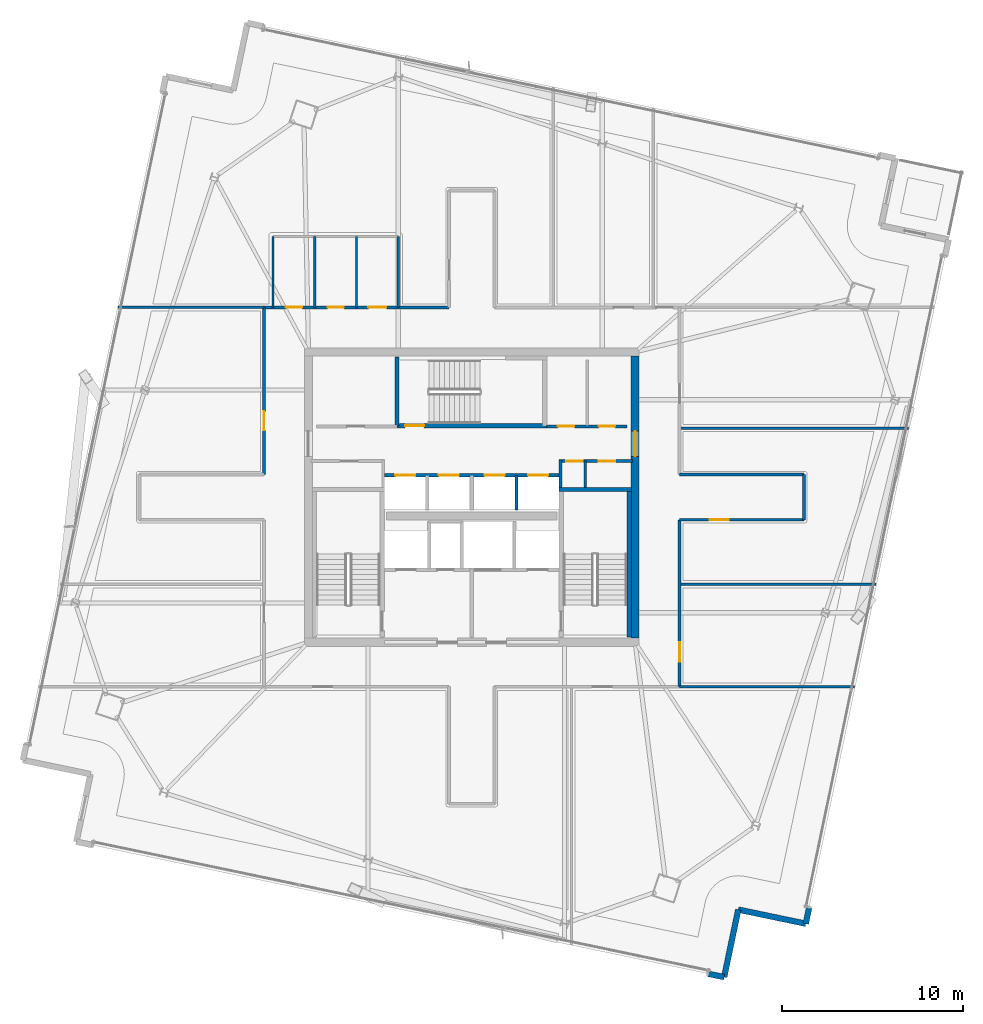
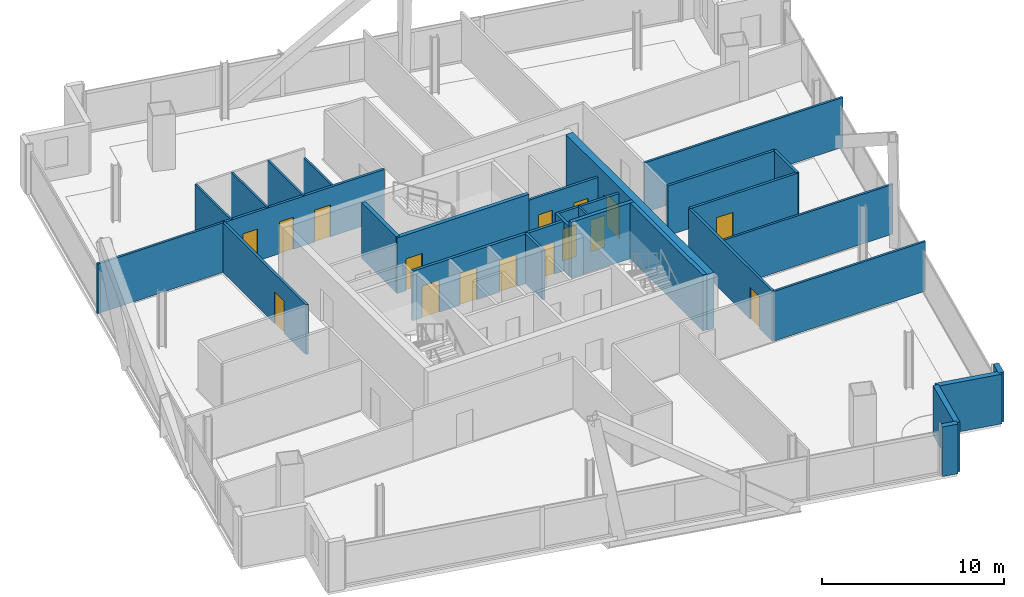
# One storey, part 19 of 24: 29 walls, 16 doors, 16 openings.
"""IFC4 building model written with IfcOpenShell, lengths in metres."""

from ifc_helpers import new_model, si_unit, direction, frame, frame_2d, origin, place, context, subcontext, project, spatial, rectangle, extrude, material, layer, layer_set, type_object, element, fill, save


model = new_model("IFC4")

# Units and contexts
model_context = context("Model", 3, precision=1e-05, world=origin(), true_north=direction((0.0, 1.0)))
body_context = subcontext(model_context, "Body", "Model", "MODEL_VIEW")
ifc_project = project(units=[si_unit("LENGTHUNIT", "METRE"), si_unit("AREAUNIT", "SQUARE_METRE"), si_unit("VOLUMEUNIT", "CUBIC_METRE"), si_unit("PLANEANGLEUNIT", "RADIAN"), si_unit("MASSUNIT", "GRAM", prefix="KILO")], contexts=[model_context])

# Site, building, storey
site_placement = place(None, origin())
site = spatial("IfcSite", under=ifc_project, at=site_placement, CompositionType="ELEMENT")
building_placement = place(site_placement, origin())
building = spatial("IfcBuilding", under=site, at=building_placement, Name="Haldenkirk Collegiate Tower", CompositionType="ELEMENT")
storey_placement = place(building_placement, frame((0.0, 0.0, 289.949951171875)))
storey = spatial("IfcBuildingStorey", under=building, at=storey_placement, Name="L73", CompositionType="ELEMENT", Elevation=289.949951171875)

# Wall, opening, door
ifc_material_1 = material(Name="Concrete f'c 55 MPa", Category="concrete")
ifc_layer_1 = layer(ifc_material_1, 0.449951171875)
ifc_layer_set_1 = layer_set([ifc_layer_1], Name="Concrete f'c 55 MPa")
wall_type_1 = type_object("IfcWallType", Name="WL-CORE-450", PredefinedType="SHEAR", material=ifc_layer_set_1)
wall_1_placement = place(storey_placement, frame((45.0, 18.22509765625, 0.0), z_axis=(0.0, 0.0, 1.0), x_axis=(0.0, 1.0, 0.0)))
wall_1 = element("IfcWall", 1, at=wall_1_placement, inside=storey, type_object=wall_type_1, Name="L73 central core shear wall E", PredefinedType="SHEAR", context=body_context, shape_type="SweptSolid", body=[
    extrude(rectangle(XDim=15.5498046875, YDim=0.449951171875, at=frame_2d((7.77490234375, 0.0))), origin(), (0.0, 0.0, 1.0), 3.75),
])
opening_1_placement = place(wall_1_placement, frame((10.014892578125, 0.0, 0.0)))
opening_1 = element("IfcOpeningElement", 2, at=opening_1_placement, cuts=wall_1, Name="Opening D-03", PredefinedType="OPENING", context=body_context, shape_type="SweptSolid", body=[
    extrude(rectangle(XDim=1.39990234375, YDim=2.199951171875, at=frame_2d((0.699951171875, 1.10009765625))), frame((0.0, 0.23486328125, 0.0), z_axis=(0.0, -1.0, 0.0), x_axis=(1.0, 0.0, 0.0)), (0.0, 0.0, 1.0), 0.469970703125),
])
ifc_material_2 = material(Name="Galvanized fire-rated hollow steel door", Category="steel")
ifc_layer_2 = layer(ifc_material_2, 0.06005859375)
ifc_layer_set_2 = layer_set([ifc_layer_2], Name="Galvanized fire-rated hollow steel door")
door_type_1 = type_object("IfcDoorType", Name="DR-LOBBY-FD90-1400", OperationType="NOTDEFINED", PredefinedType="DOOR", material=ifc_layer_set_2)
door_1_placement = place(opening_1_placement, origin())
door_1 = element("IfcDoor", 3, at=door_1_placement, inside=storey, type_object=door_type_1, Name="L73 east lift lobby portal", OperationType="DOUBLE_DOOR_SINGLE_SWING", OverallHeight=2.199951171875, OverallWidth=1.39990234375, PredefinedType="DOOR", context=body_context, shape_type="SweptSolid", body=[
    extrude(rectangle(XDim=1.39990234375, YDim=2.199951171875, at=frame_2d((0.699951171875, 1.10009765625))), frame((0.0, 0.02490234375, 0.0), z_axis=(0.0, -1.0, 0.0), x_axis=(1.0, 0.0, 0.0)), (0.0, 0.0, 1.0), 0.050048828125),
])
fill(opening_1, door_1)

# Walls
ifc_material_3 = material(Name="Precast concrete f'c 40 MPa", Category="concrete")
ifc_layer_3 = layer(ifc_material_3, 0.320068359375)
ifc_layer_set_3 = layer_set([ifc_layer_3], Name="Precast concrete f'c 40 MPa")
wall_type_2 = type_object("IfcWallType", Name="WL-EXT-TWR-320", PredefinedType="STANDARD", material=ifc_layer_set_3)
for number, where, z_axis, x_axis, name in (
    (4, (54.590087890625, 3.3701171875, 0.0), (0.0, 0.0, 1.0), (-0.204560917907, -0.978853835292, 0.0), "L73 precast corner pier SR"),
    (5, (49.9091796875, -0.453369140625, 0.0), (0.0, 0.0, 1.0), (-0.978853835292, 0.204560917907, 0.0), "L73 precast corner pier WL"),
):
    element("IfcWall", number, at=place(storey_placement, frame(where, z_axis=z_axis, x_axis=x_axis)), inside=storey, type_object=wall_type_2, Name=name, PredefinedType="STANDARD", context=body_context, shape_type="SweptSolid", body=[
        extrude(rectangle(XDim=0.89990234375, YDim=0.320068359375, at=frame_2d((0.449951171875, 0.0))), origin(), (0.0, 0.0, 1.0), 3.340087890625),
    ])
for number, where, z_axis, x_axis, name in (
    (6, (50.686279296875, 3.266357421875, 0.0), (0.0, 0.0, 1.0), (-0.204498130493, -0.978866954506, 0.0), "L73 bronze precast notch wall 11"),
    (7, (54.406005859375, 2.4892578125, 0.0), (0.0, 0.0, 1.0), (-0.978866954506, 0.204498130493, 0.0), "L73 bronze precast notch wall 12"),
):
    element("IfcWall", number, at=place(storey_placement, frame(where, z_axis=z_axis, x_axis=x_axis)), inside=storey, type_object=wall_type_2, Name=name, PredefinedType="STANDARD", context=body_context, shape_type="SweptSolid", body=[
        extrude(rectangle(XDim=3.800048828125, YDim=0.320068359375, at=frame_2d((1.89990234375, 0.0))), origin(), (0.0, 0.0, 1.0), 3.340087890625),
    ])

# Wall, openings, doors
ifc_material_4 = material(Name="Acoustic fire-rated gypsum partition", Category="concrete")
ifc_layer_4 = layer(ifc_material_4, 0.159912109375)
ifc_layer_set_4 = layer_set([ifc_layer_4], Name="Acoustic fire-rated gypsum partition")
wall_type_3 = type_object("IfcWallType", Name="WL-INT-CORR-160", PredefinedType="PARTITIONING", material=ifc_layer_set_4)
wall_2_placement = place(storey_placement, frame((40.800048828125, 27.97998046875, 0.0), z_axis=(0.0, 0.0, 1.0), x_axis=(1.0, 0.0, 0.0)))
wall_2 = element("IfcWall", 8, at=wall_2_placement, inside=storey, type_object=wall_type_3, Name="L73 interior partition IW-L73-VCSE-N", PredefinedType="PARTITIONING", context=body_context, shape_type="SweptSolid", body=[
    extrude(rectangle(XDim=4.050048828125, YDim=0.159912109375, at=frame_2d((2.02490234375, 0.0))), origin(), (0.0, 0.0, 1.0), 3.340087890625),
])
opening_2_placement = place(wall_2_placement, frame((0.407470703125, 0.0, 0.0)))
opening_2 = element("IfcOpeningElement", 9, at=opening_2_placement, cuts=wall_2, Name="Opening D-11", PredefinedType="OPENING", context=body_context, shape_type="SweptSolid", body=[
    extrude(rectangle(XDim=0.89990234375, YDim=2.14990234375, at=frame_2d((0.449951171875, 1.074951171875))), frame((0.0, 0.08984375, 0.0), z_axis=(0.0, -1.0, 0.0), x_axis=(1.0, 0.0, 0.0)), (0.0, 0.0, 1.0), 0.179931640625),
])
opening_3_placement = place(wall_2_placement, frame((2.199951171875, 0.0, 0.0)))
opening_3 = element("IfcOpeningElement", 10, at=opening_3_placement, cuts=wall_2, Name="Opening D-11", PredefinedType="OPENING", context=body_context, shape_type="SweptSolid", body=[
    extrude(rectangle(XDim=0.89990234375, YDim=2.14990234375, at=frame_2d((0.449951171875, 1.074951171875))), frame((0.0, 0.08984375, 0.0), z_axis=(0.0, -1.0, 0.0), x_axis=(1.0, 0.0, 0.0)), (0.0, 0.0, 1.0), 0.179931640625),
])
ifc_material_5 = material(Name="Solid-core architectural oak fire door", Category="wood")
ifc_layer_5 = layer(ifc_material_5, 0.06005859375)
ifc_layer_set_5 = layer_set([ifc_layer_5], Name="Solid-core architectural oak fire door")
door_type_2 = type_object("IfcDoorType", Name="DR-INT-FD60-900", OperationType="NOTDEFINED", PredefinedType="DOOR", material=ifc_layer_set_5)
door_2_placement = place(opening_2_placement, origin())
door_2 = element("IfcDoor", 11, at=door_2_placement, inside=storey, type_object=door_type_2, Name="L73 core copy room door", OperationType="SINGLE_SWING_LEFT", OverallHeight=2.14990234375, OverallWidth=0.89990234375, PredefinedType="DOOR", context=body_context, shape_type="SweptSolid", body=[
    extrude(rectangle(XDim=0.89990234375, YDim=2.14990234375, at=frame_2d((0.449951171875, 1.074951171875))), frame((0.0, 0.02490234375, 0.0), z_axis=(0.0, -1.0, 0.0), x_axis=(1.0, 0.0, 0.0)), (0.0, 0.0, 1.0), 0.050048828125),
])
fill(opening_2, door_2)
door_3_placement = place(opening_3_placement, origin())
door_3 = element("IfcDoor", 12, at=door_3_placement, inside=storey, type_object=door_type_2, Name="L73 core records store door", OperationType="SINGLE_SWING_RIGHT", OverallHeight=2.14990234375, OverallWidth=0.89990234375, PredefinedType="DOOR", context=body_context, shape_type="SweptSolid", body=[
    extrude(rectangle(XDim=0.89990234375, YDim=2.14990234375, at=frame_2d((0.449951171875, 1.074951171875))), frame((0.0, 0.02490234375, 0.0), z_axis=(0.0, -1.0, 0.0), x_axis=(1.0, 0.0, 0.0)), (0.0, 0.0, 1.0), 0.050048828125),
])
fill(opening_3, door_3)

# Wall
wall_3_placement = place(storey_placement, frame((40.8798828125, 26.5400390625, 0.0), z_axis=(0.0, 0.0, 1.0), x_axis=(0.0, 1.0, 0.0)))
element("IfcWall", 13, at=wall_3_placement, inside=storey, type_object=wall_type_3, Name="L73 interior partition IW-L73-VCSE-W", PredefinedType="PARTITIONING", context=body_context, shape_type="SweptSolid", body=[
    extrude(rectangle(XDim=1.510009765625, YDim=0.159912109375, at=frame_2d((0.7548828125, 0.0))), origin(), (0.0, 0.0, 1.0), 3.340087890625),
])

# Wall, openings, doors
wall_4_placement = place(storey_placement, frame((40.1201171875, 29.89990234375, 0.0), z_axis=(0.0, 0.0, 1.0), x_axis=(1.0, 0.0, 0.0)))
wall_4 = element("IfcWall", 14, at=wall_4_placement, inside=storey, type_object=wall_type_3, Name="L73 interior partition IW-L73-PMS", PredefinedType="PARTITIONING", context=body_context, shape_type="SweptSolid", body=[
    extrude(rectangle(XDim=4.429931640625, YDim=0.159912109375, at=frame_2d((2.21484375, 0.0))), origin(), (0.0, 0.0, 1.0), 3.340087890625),
])
opening_4_placement = place(wall_4_placement, frame((0.6298828125, 0.0, 0.0)))
opening_4 = element("IfcOpeningElement", 15, at=opening_4_placement, cuts=wall_4, Name="Opening D-11", PredefinedType="OPENING", context=body_context, shape_type="SweptSolid", body=[
    extrude(rectangle(XDim=0.89990234375, YDim=2.14990234375, at=frame_2d((0.449951171875, 1.074951171875))), frame((0.0, 0.08984375, 0.0), z_axis=(0.0, -1.0, 0.0), x_axis=(1.0, 0.0, 0.0)), (0.0, 0.0, 1.0), 0.179931640625),
])
opening_5_placement = place(wall_4_placement, frame((2.8798828125, 0.0, 0.0)))
opening_5 = element("IfcOpeningElement", 16, at=opening_5_placement, cuts=wall_4, Name="Opening D-11", PredefinedType="OPENING", context=body_context, shape_type="SweptSolid", body=[
    extrude(rectangle(XDim=0.89990234375, YDim=2.14990234375, at=frame_2d((0.449951171875, 1.074951171875))), frame((0.0, 0.08984375, 0.0), z_axis=(0.0, -1.0, 0.0), x_axis=(1.0, 0.0, 0.0)), (0.0, 0.0, 1.0), 0.179931640625),
])
door_4_placement = place(opening_4_placement, origin())
door_4 = element("IfcDoor", 17, at=door_4_placement, inside=storey, type_object=door_type_2, Name="L73 staff WC door", OperationType="SINGLE_SWING_RIGHT", OverallHeight=2.14990234375, OverallWidth=0.89990234375, PredefinedType="DOOR", context=body_context, shape_type="SweptSolid", body=[
    extrude(rectangle(XDim=0.89990234375, YDim=2.14990234375, at=frame_2d((0.449951171875, 1.074951171875))), frame((0.0, 0.02490234375, 0.0), z_axis=(0.0, -1.0, 0.0), x_axis=(1.0, 0.0, 0.0)), (0.0, 0.0, 1.0), 0.050048828125),
])
fill(opening_4, door_4)
door_5_placement = place(opening_5_placement, origin())
door_5 = element("IfcDoor", 18, at=door_5_placement, inside=storey, type_object=door_type_2, Name="L73 seminar alcove door", OperationType="SINGLE_SWING_LEFT", OverallHeight=2.14990234375, OverallWidth=0.89990234375, PredefinedType="DOOR", context=body_context, shape_type="SweptSolid", body=[
    extrude(rectangle(XDim=0.89990234375, YDim=2.14990234375, at=frame_2d((0.449951171875, 1.074951171875))), frame((0.0, 0.02490234375, 0.0), z_axis=(0.0, -1.0, 0.0), x_axis=(1.0, 0.0, 0.0)), (0.0, 0.0, 1.0), 0.050048828125),
])
fill(opening_5, door_5)

wall_5_placement = place(storey_placement, frame((24.5, 36.449951171875, 0.0), z_axis=(0.0, 0.0, 1.0), x_axis=(1.0, 0.0, 0.0)))
wall_5 = element("IfcWall", 19, at=wall_5_placement, inside=storey, type_object=wall_type_3, Name="L73 interior partition IW-L73-CN1", PredefinedType="PARTITIONING", context=body_context, shape_type="SweptSolid", body=[
    extrude(rectangle(XDim=10.25, YDim=0.159912109375, at=frame_2d((5.125, 0.0))), origin(), (0.0, 0.0, 1.0), 3.340087890625),
])
opening_6_placement = place(wall_5_placement, frame((1.25, 0.0, 0.0)))
opening_6 = element("IfcOpeningElement", 20, at=opening_6_placement, cuts=wall_5, Name="Opening D-13", PredefinedType="OPENING", context=body_context, shape_type="SweptSolid", body=[
    extrude(rectangle(XDim=0.89990234375, YDim=2.14990234375, at=frame_2d((0.449951171875, 1.074951171875))), frame((0.0, 0.08984375, 0.0), z_axis=(0.0, -1.0, 0.0), x_axis=(1.0, 0.0, 0.0)), (0.0, 0.0, 1.0), 0.179931640625),
])
opening_7_placement = place(wall_5_placement, frame((3.550048828125, 0.0, 0.0)))
opening_7 = element("IfcOpeningElement", 21, at=opening_7_placement, cuts=wall_5, Name="Opening D-13", PredefinedType="OPENING", context=body_context, shape_type="SweptSolid", body=[
    extrude(rectangle(XDim=0.89990234375, YDim=2.14990234375, at=frame_2d((0.449951171875, 1.074951171875))), frame((0.0, 0.08984375, 0.0), z_axis=(0.0, -1.0, 0.0), x_axis=(1.0, 0.0, 0.0)), (0.0, 0.0, 1.0), 0.179931640625),
])
opening_8_placement = place(wall_5_placement, frame((5.800048828125, 0.0, 0.0)))
opening_8 = element("IfcOpeningElement", 22, at=opening_8_placement, cuts=wall_5, Name="Opening D-14", PredefinedType="OPENING", context=body_context, shape_type="SweptSolid", body=[
    extrude(rectangle(XDim=1.0, YDim=2.14990234375, at=frame_2d((0.5, 1.074951171875))), frame((0.0, 0.08984375, 0.0), z_axis=(0.0, -1.0, 0.0), x_axis=(1.0, 0.0, 0.0)), (0.0, 0.0, 1.0), 0.179931640625),
])
ifc_layer_6 = layer(ifc_material_5, 0.06005859375)
ifc_layer_set_6 = layer_set([ifc_layer_6], Name="Solid-core architectural oak fire door")
door_type_3 = type_object("IfcDoorType", Name="DR-INT-ACC-1000", OperationType="NOTDEFINED", PredefinedType="DOOR", material=ifc_layer_set_6)
door_6_placement = place(opening_8_placement, origin())
door_6 = element("IfcDoor", 23, at=door_6_placement, inside=storey, type_object=door_type_3, Name="L73 Accessible WC door", OperationType="SINGLE_SWING_RIGHT", OverallHeight=2.14990234375, OverallWidth=1.0, PredefinedType="DOOR", context=body_context, shape_type="SweptSolid", body=[
    extrude(rectangle(XDim=1.0, YDim=2.14990234375, at=frame_2d((0.5, 1.074951171875))), frame((0.0, 0.02490234375, 0.0), z_axis=(0.0, -1.0, 0.0), x_axis=(1.0, 0.0, 0.0)), (0.0, 0.0, 1.0), 0.050048828125),
])
fill(opening_8, door_6)
ifc_layer_7 = layer(ifc_material_5, 0.06005859375)
ifc_layer_set_7 = layer_set([ifc_layer_7], Name="Solid-core architectural oak fire door")
door_type_4 = type_object("IfcDoorType", Name="DR-INT-STD-900", OperationType="NOTDEFINED", PredefinedType="DOOR", material=ifc_layer_set_7)
door_7_placement = place(opening_6_placement, origin())
door_7 = element("IfcDoor", 24, at=door_7_placement, inside=storey, type_object=door_type_4, Name="L73 Male WC door", OperationType="SINGLE_SWING_RIGHT", OverallHeight=2.14990234375, OverallWidth=0.89990234375, PredefinedType="DOOR", context=body_context, shape_type="SweptSolid", body=[
    extrude(rectangle(XDim=0.89990234375, YDim=2.14990234375, at=frame_2d((0.449951171875, 1.074951171875))), frame((0.0, 0.02490234375, 0.0), z_axis=(0.0, -1.0, 0.0), x_axis=(1.0, 0.0, 0.0)), (0.0, 0.0, 1.0), 0.050048828125),
])
fill(opening_6, door_7)
door_8_placement = place(opening_7_placement, origin())
door_8 = element("IfcDoor", 25, at=door_8_placement, inside=storey, type_object=door_type_4, Name="L73 Female WC door", OperationType="SINGLE_SWING_LEFT", OverallHeight=2.14990234375, OverallWidth=0.89990234375, PredefinedType="DOOR", context=body_context, shape_type="SweptSolid", body=[
    extrude(rectangle(XDim=0.89990234375, YDim=2.14990234375, at=frame_2d((0.449951171875, 1.074951171875))), frame((0.0, 0.02490234375, 0.0), z_axis=(0.0, -1.0, 0.0), x_axis=(1.0, 0.0, 0.0)), (0.0, 0.0, 1.0), 0.050048828125),
])
fill(opening_7, door_8)

# Wall, opening, door
wall_6_placement = place(storey_placement, frame((24.550048828125, 27.25, 0.0), z_axis=(0.0, 0.0, 1.0), x_axis=(0.0, 1.0, 0.0)))
wall_6 = element("IfcWall", 26, at=wall_6_placement, inside=storey, type_object=wall_type_3, Name="L73 interior partition IW-L73-CW2", PredefinedType="PARTITIONING", context=body_context, shape_type="SweptSolid", body=[
    extrude(rectangle(XDim=9.199951171875, YDim=0.159912109375, at=frame_2d((4.60009765625, 0.0))), origin(), (0.0, 0.0, 1.0), 3.340087890625),
])
opening_9_placement = place(wall_6_placement, frame((2.4189453125, 0.0, 0.0)))
opening_9 = element("IfcOpeningElement", 27, at=opening_9_placement, cuts=wall_6, Name="Opening D-09", PredefinedType="OPENING", context=body_context, shape_type="SweptSolid", body=[
    extrude(rectangle(XDim=1.050048828125, YDim=2.14990234375, at=frame_2d((0.52490234375, 1.074951171875))), frame((0.0, 0.08984375, 0.0), z_axis=(0.0, -1.0, 0.0), x_axis=(1.0, 0.0, 0.0)), (0.0, 0.0, 1.0), 0.179931640625),
])
ifc_layer_8 = layer(ifc_material_5, 0.06005859375)
ifc_layer_set_8 = layer_set([ifc_layer_8], Name="Solid-core architectural oak fire door")
door_type_5 = type_object("IfcDoorType", Name="DR-INT-FD60-1050", OperationType="NOTDEFINED", PredefinedType="DOOR", material=ifc_layer_set_8)
door_9_placement = place(opening_9_placement, origin())
door_9 = element("IfcDoor", 28, at=door_9_placement, inside=storey, type_object=door_type_5, Name="L73 Academic Press Bookshop 7 door", OperationType="SINGLE_SWING_LEFT", OverallHeight=2.14990234375, OverallWidth=1.050048828125, PredefinedType="DOOR", context=body_context, shape_type="SweptSolid", body=[
    extrude(rectangle(XDim=1.050048828125, YDim=2.14990234375, at=frame_2d((0.52490234375, 1.074951171875))), frame((0.0, 0.02490234375, 0.0), z_axis=(0.0, -1.0, 0.0), x_axis=(1.0, 0.0, 0.0)), (0.0, 0.0, 1.0), 0.050048828125),
])
fill(opening_9, door_9)

wall_7_placement = place(storey_placement, frame((47.449951171875, 15.550048828125, 0.0), z_axis=(0.0, 0.0, 1.0), x_axis=(0.0, 1.0, 0.0)))
wall_7 = element("IfcWall", 29, at=wall_7_placement, inside=storey, type_object=wall_type_3, Name="L73 interior partition IW-L73-CE1", PredefinedType="PARTITIONING", context=body_context, shape_type="SweptSolid", body=[
    extrude(rectangle(XDim=9.199951171875, YDim=0.159912109375, at=frame_2d((4.60009765625, 0.0))), origin(), (0.0, 0.0, 1.0), 3.340087890625),
])
opening_10_placement = place(wall_7_placement, frame((1.388916015625, 0.0, 0.0)))
opening_10 = element("IfcOpeningElement", 30, at=opening_10_placement, cuts=wall_7, Name="Opening D-09", PredefinedType="OPENING", context=body_context, shape_type="SweptSolid", body=[
    extrude(rectangle(XDim=1.050048828125, YDim=2.14990234375, at=frame_2d((0.52490234375, 1.074951171875))), frame((0.0, 0.08984375, 0.0), z_axis=(0.0, -1.0, 0.0), x_axis=(1.0, 0.0, 0.0)), (0.0, 0.0, 1.0), 0.179931640625),
])
door_10_placement = place(opening_10_placement, origin())
door_10 = element("IfcDoor", 31, at=door_10_placement, inside=storey, type_object=door_type_5, Name="L73 Campus Design Shop 8 door", OperationType="SINGLE_SWING_RIGHT", OverallHeight=2.14990234375, OverallWidth=1.050048828125, PredefinedType="DOOR", context=body_context, shape_type="SweptSolid", body=[
    extrude(rectangle(XDim=1.050048828125, YDim=2.14990234375, at=frame_2d((0.52490234375, 1.074951171875))), frame((0.0, 0.02490234375, 0.0), z_axis=(0.0, -1.0, 0.0), x_axis=(1.0, 0.0, 0.0)), (0.0, 0.0, 1.0), 0.050048828125),
])
fill(opening_10, door_10)

wall_8_placement = place(storey_placement, frame((47.449951171875, 24.75, 0.0), z_axis=(0.0, 0.0, 1.0), x_axis=(1.0, 0.0, 0.0)))
wall_8 = element("IfcWall", 32, at=wall_8_placement, inside=storey, type_object=wall_type_3, Name="L73 interior partition IW-L73-EPS", PredefinedType="PARTITIONING", context=body_context, shape_type="SweptSolid", body=[
    extrude(rectangle(XDim=6.85009765625, YDim=0.159912109375, at=frame_2d((3.425048828125, 0.0))), origin(), (0.0, 0.0, 1.0), 3.340087890625),
])
opening_11_placement = place(wall_8_placement, frame((1.6669921875, 0.0, 0.0)))
opening_11 = element("IfcOpeningElement", 33, at=opening_11_placement, cuts=wall_8, Name="Opening D-09", PredefinedType="OPENING", context=body_context, shape_type="SweptSolid", body=[
    extrude(rectangle(XDim=1.050048828125, YDim=2.14990234375, at=frame_2d((0.52490234375, 1.074951171875))), frame((0.0, 0.08984375, 0.0), z_axis=(0.0, -1.0, 0.0), x_axis=(1.0, 0.0, 0.0)), (0.0, 0.0, 1.0), 0.179931640625),
])
door_11_placement = place(opening_11_placement, origin())
door_11 = element("IfcDoor", 34, at=door_11_placement, inside=storey, type_object=door_type_5, Name="L73 Collegiate Supply Shop 9 door", OperationType="SINGLE_SWING_LEFT", OverallHeight=2.14990234375, OverallWidth=1.050048828125, PredefinedType="DOOR", context=body_context, shape_type="SweptSolid", body=[
    extrude(rectangle(XDim=1.050048828125, YDim=2.14990234375, at=frame_2d((0.52490234375, 1.074951171875))), frame((0.0, 0.02490234375, 0.0), z_axis=(0.0, -1.0, 0.0), x_axis=(1.0, 0.0, 0.0)), (0.0, 0.0, 1.0), 0.050048828125),
])
fill(opening_11, door_11)

# Walls
wall_9_placement = place(storey_placement, frame((47.449951171875, 27.25, 0.0), z_axis=(0.0, 0.0, 1.0), x_axis=(1.0, 0.0, 0.0)))
element("IfcWall", 35, at=wall_9_placement, inside=storey, type_object=wall_type_3, Name="L73 interior partition IW-L73-EPN", PredefinedType="PARTITIONING", context=body_context, shape_type="SweptSolid", body=[
    extrude(rectangle(XDim=6.85009765625, YDim=0.159912109375, at=frame_2d((3.425048828125, 0.0))), origin(), (0.0, 0.0, 1.0), 3.340087890625),
])
wall_10_placement = place(storey_placement, frame((54.300048828125, 24.75, 0.0), z_axis=(0.0, 0.0, 1.0), x_axis=(0.0, 1.0, 0.0)))
element("IfcWall", 36, at=wall_10_placement, inside=storey, type_object=wall_type_3, Name="L73 interior partition IW-L73-EPE", PredefinedType="PARTITIONING", context=body_context, shape_type="SweptSolid", body=[
    extrude(rectangle(XDim=2.5, YDim=0.159912109375, at=frame_2d((1.25, 0.0))), origin(), (0.0, 0.0, 1.0), 3.340087890625),
])
ifc_layer_9 = layer(ifc_material_4, 0.139892578125)
ifc_layer_set_9 = layer_set([ifc_layer_9], Name="Acoustic fire-rated gypsum partition")
wall_type_4 = type_object("IfcWallType", Name="WL-INT-DIV-140", PredefinedType="PARTITIONING", material=ifc_layer_set_9)
wall_11_placement = place(storey_placement, frame((16.51513671875, 36.449951171875, 0.0), z_axis=(0.0, 0.0, 1.0), x_axis=(1.0, 0.0, 0.0)))
element("IfcWall", 37, at=wall_11_placement, inside=storey, type_object=wall_type_4, Name="L73 interior partition IW-L73-BWN", PredefinedType="PARTITIONING", context=body_context, shape_type="SweptSolid", body=[
    extrude(rectangle(XDim=8.034912109375, YDim=0.139892578125, at=frame_2d((4.017578125, 0.0))), origin(), (0.0, 0.0, 1.0), 3.340087890625),
])
wall_12_placement = place(storey_placement, frame((47.449951171875, 15.550048828125, 0.0), z_axis=(0.0, 0.0, 1.0), x_axis=(1.0, 0.0, 0.0)))
element("IfcWall", 38, at=wall_12_placement, inside=storey, type_object=wall_type_4, Name="L73 interior partition IW-L73-BES", PredefinedType="PARTITIONING", context=body_context, shape_type="SweptSolid", body=[
    extrude(rectangle(XDim=9.643798828125, YDim=0.139892578125, at=frame_2d((4.82177734375, 0.0))), origin(), (0.0, 0.0, 1.0), 3.340087890625),
])
wall_13_placement = place(storey_placement, frame((47.449951171875, 21.199951171875, 0.0), z_axis=(0.0, 0.0, 1.0), x_axis=(1.0, 0.0, 0.0)))
element("IfcWall", 39, at=wall_13_placement, inside=storey, type_object=wall_type_4, Name="L73 interior partition IW-L73-RE1", PredefinedType="PARTITIONING", context=body_context, shape_type="SweptSolid", body=[
    extrude(rectangle(XDim=10.82421875, YDim=0.139892578125, at=frame_2d((5.412109375, 0.0))), origin(), (0.0, 0.0, 1.0), 3.340087890625),
])
wall_14_placement = place(storey_placement, frame((47.449951171875, 29.800048828125, 0.0), z_axis=(0.0, 0.0, 1.0), x_axis=(1.0, 0.0, 0.0)))
element("IfcWall", 40, at=wall_14_placement, inside=storey, type_object=wall_type_4, Name="L73 interior partition IW-L73-RE2", PredefinedType="PARTITIONING", context=body_context, shape_type="SweptSolid", body=[
    extrude(rectangle(XDim=12.620849609375, YDim=0.139892578125, at=frame_2d((6.310546875, 0.0))), origin(), (0.0, 0.0, 1.0), 3.340087890625),
])

# Wall, openings, doors
ifc_material_6 = material(Name="Fire-rated gypsum shaftboard assembly", Category="concrete")
ifc_layer_10 = layer(ifc_material_6, 0.179931640625)
ifc_layer_set_10 = layer_set([ifc_layer_10], Name="Fire-rated gypsum shaftboard assembly")
wall_type_5 = type_object("IfcWallType", Name="WL-INT-SHAFT-180", PredefinedType="PARTITIONING", material=ifc_layer_set_10)
wall_15_placement = place(storey_placement, frame((31.199951171875, 27.199951171875, 0.0), z_axis=(0.0, 0.0, 1.0), x_axis=(1.0, 0.0, 0.0)))
wall_15 = element("IfcWall", 41, at=wall_15_placement, inside=storey, type_object=wall_type_5, Name="L73 interior partition IW-L73-PHN", PredefinedType="PARTITIONING", context=body_context, shape_type="SweptSolid", body=[
    extrude(rectangle(XDim=9.60009765625, YDim=0.179931640625, at=frame_2d((4.800048828125, 0.0))), origin(), (0.0, 0.0, 1.0), 3.340087890625),
])
opening_12_placement = place(wall_15_placement, frame((0.590087890625, 0.0, 0.0)))
opening_12 = element("IfcOpeningElement", 42, at=opening_12_placement, cuts=wall_15, Name="Opening LD-11", PredefinedType="OPENING", context=body_context, shape_type="SweptSolid", body=[
    extrude(rectangle(XDim=1.10009765625, YDim=2.14990234375, at=frame_2d((0.550048828125, 1.074951171875))), frame((0.0, 0.099853515625, 0.0), z_axis=(0.0, -1.0, 0.0), x_axis=(1.0, 0.0, 0.0)), (0.0, 0.0, 1.0), 0.199951171875),
])
opening_13_placement = place(wall_15_placement, frame((2.989990234375, 0.0, 0.0)))
opening_13 = element("IfcOpeningElement", 43, at=opening_13_placement, cuts=wall_15, Name="Opening LD-11", PredefinedType="OPENING", context=body_context, shape_type="SweptSolid", body=[
    extrude(rectangle(XDim=1.10009765625, YDim=2.14990234375, at=frame_2d((0.550048828125, 1.074951171875))), frame((0.0, 0.099853515625, 0.0), z_axis=(0.0, -1.0, 0.0), x_axis=(1.0, 0.0, 0.0)), (0.0, 0.0, 1.0), 0.199951171875),
])
opening_14_placement = place(wall_15_placement, frame((5.510009765625, 0.0, 0.0)))
opening_14 = element("IfcOpeningElement", 44, at=opening_14_placement, cuts=wall_15, Name="Opening LD-11", PredefinedType="OPENING", context=body_context, shape_type="SweptSolid", body=[
    extrude(rectangle(XDim=1.10009765625, YDim=2.14990234375, at=frame_2d((0.550048828125, 1.074951171875))), frame((0.0, 0.099853515625, 0.0), z_axis=(0.0, -1.0, 0.0), x_axis=(1.0, 0.0, 0.0)), (0.0, 0.0, 1.0), 0.199951171875),
])
opening_15_placement = place(wall_15_placement, frame((7.909912109375, 0.0, 0.0)))
opening_15 = element("IfcOpeningElement", 45, at=opening_15_placement, cuts=wall_15, Name="Opening LD-11", PredefinedType="OPENING", context=body_context, shape_type="SweptSolid", body=[
    extrude(rectangle(XDim=1.10009765625, YDim=2.14990234375, at=frame_2d((0.550048828125, 1.074951171875))), frame((0.0, 0.099853515625, 0.0), z_axis=(0.0, -1.0, 0.0), x_axis=(1.0, 0.0, 0.0)), (0.0, 0.0, 1.0), 0.199951171875),
])
ifc_material_7 = material(Name="Brushed architectural stainless steel", Category="steel")
ifc_layer_11 = layer(ifc_material_7, 0.06005859375)
ifc_layer_set_11 = layer_set([ifc_layer_11], Name="Brushed architectural stainless steel")
door_type_6 = type_object("IfcDoorType", Name="LD-PASS-1100", OperationType="NOTDEFINED", PredefinedType="DOOR", material=ifc_layer_set_11)
door_12_placement = place(opening_12_placement, origin())
door_12 = element("IfcDoor", 46, at=door_12_placement, inside=storey, type_object=door_type_6, Name="L73 Elevator PH1 sliding landing door", OperationType="SLIDING_TO_LEFT", OverallHeight=2.14990234375, OverallWidth=1.10009765625, PredefinedType="DOOR", context=body_context, shape_type="SweptSolid", body=[
    extrude(rectangle(XDim=1.10009765625, YDim=2.14990234375, at=frame_2d((0.550048828125, 1.074951171875))), frame((0.0, 0.02490234375, 0.0), z_axis=(0.0, -1.0, 0.0), x_axis=(1.0, 0.0, 0.0)), (0.0, 0.0, 1.0), 0.050048828125),
])
fill(opening_12, door_12)
door_13_placement = place(opening_13_placement, origin())
door_13 = element("IfcDoor", 47, at=door_13_placement, inside=storey, type_object=door_type_6, Name="L73 Elevator PH2 sliding landing door", OperationType="SLIDING_TO_LEFT", OverallHeight=2.14990234375, OverallWidth=1.10009765625, PredefinedType="DOOR", context=body_context, shape_type="SweptSolid", body=[
    extrude(rectangle(XDim=1.10009765625, YDim=2.14990234375, at=frame_2d((0.550048828125, 1.074951171875))), frame((0.0, 0.02490234375, 0.0), z_axis=(0.0, -1.0, 0.0), x_axis=(1.0, 0.0, 0.0)), (0.0, 0.0, 1.0), 0.050048828125),
])
fill(opening_13, door_13)
door_14_placement = place(opening_14_placement, origin())
door_14 = element("IfcDoor", 48, at=door_14_placement, inside=storey, type_object=door_type_6, Name="L73 Elevator PH3 sliding landing door", OperationType="SLIDING_TO_LEFT", OverallHeight=2.14990234375, OverallWidth=1.10009765625, PredefinedType="DOOR", context=body_context, shape_type="SweptSolid", body=[
    extrude(rectangle(XDim=1.10009765625, YDim=2.14990234375, at=frame_2d((0.550048828125, 1.074951171875))), frame((0.0, 0.02490234375, 0.0), z_axis=(0.0, -1.0, 0.0), x_axis=(1.0, 0.0, 0.0)), (0.0, 0.0, 1.0), 0.050048828125),
])
fill(opening_14, door_14)
door_15_placement = place(opening_15_placement, origin())
door_15 = element("IfcDoor", 49, at=door_15_placement, inside=storey, type_object=door_type_6, Name="L73 Elevator PH4 sliding landing door", OperationType="SLIDING_TO_LEFT", OverallHeight=2.14990234375, OverallWidth=1.10009765625, PredefinedType="DOOR", context=body_context, shape_type="SweptSolid", body=[
    extrude(rectangle(XDim=1.10009765625, YDim=2.14990234375, at=frame_2d((0.550048828125, 1.074951171875))), frame((0.0, 0.02490234375, 0.0), z_axis=(0.0, -1.0, 0.0), x_axis=(1.0, 0.0, 0.0)), (0.0, 0.0, 1.0), 0.050048828125),
])
fill(opening_15, door_15)

# Walls
wall_16_placement = place(storey_placement, frame((38.4599609375, 25.300048828125, 0.0), z_axis=(0.0, 0.0, 1.0), x_axis=(0.0, 1.0, 0.0)))
element("IfcWall", 50, at=wall_16_placement, inside=storey, type_object=wall_type_5, Name="L73 interior partition IW-L73-PHV3", PredefinedType="PARTITIONING", context=body_context, shape_type="SweptSolid", body=[
    extrude(rectangle(XDim=1.89990234375, YDim=0.179931640625, at=frame_2d((0.949951171875, 0.0))), origin(), (0.0, 0.0, 1.0), 3.340087890625),
])
ifc_layer_12 = layer(ifc_material_4, 0.1201171875)
ifc_layer_set_12 = layer_set([ifc_layer_12], Name="Acoustic fire-rated gypsum partition")
wall_type_6 = type_object("IfcWallType", Name="WL-INT-WET-120", PredefinedType="PARTITIONING", material=ifc_layer_set_12)
wall_17_placement = place(storey_placement, frame((42.25, 26.5400390625, 0.0), z_axis=(0.0, 0.0, 1.0), x_axis=(0.0, 1.0, 0.0)))
element("IfcWall", 51, at=wall_17_placement, inside=storey, type_object=wall_type_6, Name="L73 interior partition IW-L73-VCSE-M", PredefinedType="PARTITIONING", context=body_context, shape_type="SweptSolid", body=[
    extrude(rectangle(XDim=1.43994140625, YDim=0.1201171875, at=frame_2d((0.719970703125, 0.0))), origin(), (0.0, 0.0, 1.0), 3.340087890625),
])
for number, where, z_axis, x_axis, name in (
    (52, (25.050048828125, 36.449951171875, 0.0), (0.0, 0.0, 1.0), (0.0, 1.0, 0.0), "L73 interior partition IW-L73-WCW"),
    (53, (27.35009765625, 36.449951171875, 0.0), (0.0, 0.0, 1.0), (0.0, 1.0, 0.0), "L73 interior partition IW-L73-WC1"),
    (54, (29.64990234375, 36.449951171875, 0.0), (0.0, 0.0, 1.0), (0.0, 1.0, 0.0), "L73 interior partition IW-L73-WC2"),
):
    element("IfcWall", number, at=place(storey_placement, frame(where, z_axis=z_axis, x_axis=x_axis)), inside=storey, type_object=wall_type_6, Name=name, PredefinedType="PARTITIONING", context=body_context, shape_type="SweptSolid", body=[
        extrude(rectangle(XDim=3.900146484375, YDim=0.1201171875, at=frame_2d((1.9501953125, 0.0))), origin(), (0.0, 0.0, 1.0), 3.340087890625),
    ])
wall_18_placement = place(storey_placement, frame((31.949951171875, 36.449951171875, 0.0), z_axis=(0.0, 0.0, 1.0), x_axis=(0.0, 1.0, 0.0)))
element("IfcWall", 55, at=wall_18_placement, inside=storey, type_object=wall_type_6, Name="L73 interior partition IW-L73-WCE", PredefinedType="PARTITIONING", context=body_context, shape_type="SweptSolid", body=[
    extrude(rectangle(XDim=3.900146484375, YDim=0.1201171875, at=frame_2d((1.9501953125, 0.0))), origin(), (0.0, 0.0, 1.0), 2.718017578125),
])
ifc_layer_13 = layer(ifc_material_1, 0.239990234375)
ifc_layer_set_13 = layer_set([ifc_layer_13], Name="Concrete f'c 55 MPa")
wall_type_7 = type_object("IfcWallType", Name="WL-SHAFT-240", PredefinedType="SHEAR", material=ifc_layer_set_13)
wall_19_placement = place(storey_placement, frame((40.81005859375, 26.419921875, 0.0), z_axis=(0.0, 0.0, 1.0), x_axis=(1.0, 0.0, 0.0)))
element("IfcWall", 56, at=wall_19_placement, inside=storey, type_object=wall_type_7, Name="L73 stair shaft shear wall SW-L73-ST2N", PredefinedType="SHEAR", context=body_context, shape_type="SweptSolid", body=[
    extrude(rectangle(XDim=3.97998046875, YDim=0.239990234375, at=frame_2d((1.989990234375, 0.0))), origin(), (0.0, 0.0, 1.0), 3.75),
])
wall_20_placement = place(storey_placement, frame((44.669921875, 18.280029296875, 0.0), z_axis=(0.0, 0.0, 1.0), x_axis=(0.0, 1.0, 0.0)))
element("IfcWall", 57, at=wall_20_placement, inside=storey, type_object=wall_type_7, Name="L73 stair shaft shear wall SW-L73-ST2E", PredefinedType="SHEAR", context=body_context, shape_type="SweptSolid", body=[
    extrude(rectangle(XDim=8.260009765625, YDim=0.239990234375, at=frame_2d((4.1298828125, 0.0))), origin(), (0.0, 0.0, 1.0), 3.75),
])

# Wall, opening, door
wall_21_placement = place(storey_placement, frame((31.760009765625, 29.929931640625, 0.0), z_axis=(0.0, 0.0, 1.0), x_axis=(1.0, 0.0, 0.0)))
wall_21 = element("IfcWall", 58, at=wall_21_placement, inside=storey, type_object=wall_type_7, Name="L73 stair shaft shear wall SW-L73-ST3S", PredefinedType="SHEAR", context=body_context, shape_type="SweptSolid", body=[
    extrude(rectangle(XDim=8.3798828125, YDim=0.239990234375, at=frame_2d((4.18994140625, 0.0))), origin(), (0.0, 0.0, 1.0), 3.75),
])
opening_16_placement = place(wall_21_placement, frame((0.56494140625, 0.0, 0.0)))
opening_16 = element("IfcOpeningElement", 59, at=opening_16_placement, cuts=wall_21, Name="Opening D-01", PredefinedType="OPENING", context=body_context, shape_type="SweptSolid", body=[
    extrude(rectangle(XDim=1.050048828125, YDim=2.14990234375, at=frame_2d((0.52490234375, 1.074951171875))), frame((0.0, 0.1298828125, 0.0), z_axis=(0.0, -1.0, 0.0), x_axis=(1.0, 0.0, 0.0)), (0.0, 0.0, 1.0), 0.260009765625),
])
ifc_layer_14 = layer(ifc_material_2, 0.06005859375)
ifc_layer_set_14 = layer_set([ifc_layer_14], Name="Galvanized fire-rated hollow steel door")
door_type_7 = type_object("IfcDoorType", Name="DR-STAIR-FD90-1050", OperationType="NOTDEFINED", PredefinedType="DOOR", material=ifc_layer_set_14)
door_16_placement = place(opening_16_placement, origin())
door_16 = element("IfcDoor", 60, at=door_16_placement, inside=storey, type_object=door_type_7, Name="L73 lift lobby Stair 3 door", OperationType="SINGLE_SWING_RIGHT", OverallHeight=2.14990234375, OverallWidth=1.050048828125, PredefinedType="DOOR", context=body_context, shape_type="SweptSolid", body=[
    extrude(rectangle(XDim=1.050048828125, YDim=2.14990234375, at=frame_2d((0.52490234375, 1.074951171875))), frame((0.0, 0.02490234375, 0.0), z_axis=(0.0, -1.0, 0.0), x_axis=(1.0, 0.0, 0.0)), (0.0, 0.0, 1.0), 0.050048828125),
])
fill(opening_16, door_16)

# Wall
wall_22_placement = place(storey_placement, frame((31.8798828125, 29.929931640625, 0.0), z_axis=(0.0, 0.0, 1.0), x_axis=(0.0, 1.0, 0.0)))
element("IfcWall", 61, at=wall_22_placement, inside=storey, type_object=wall_type_7, Name="L73 stair shaft shear wall SW-L73-ST3W", PredefinedType="SHEAR", context=body_context, shape_type="SweptSolid", body=[
    extrude(rectangle(XDim=3.7900390625, YDim=0.239990234375, at=frame_2d((1.89501953125, 0.0))), origin(), (0.0, 0.0, 1.0), 3.75),
])

save(model, "model.ifc")
